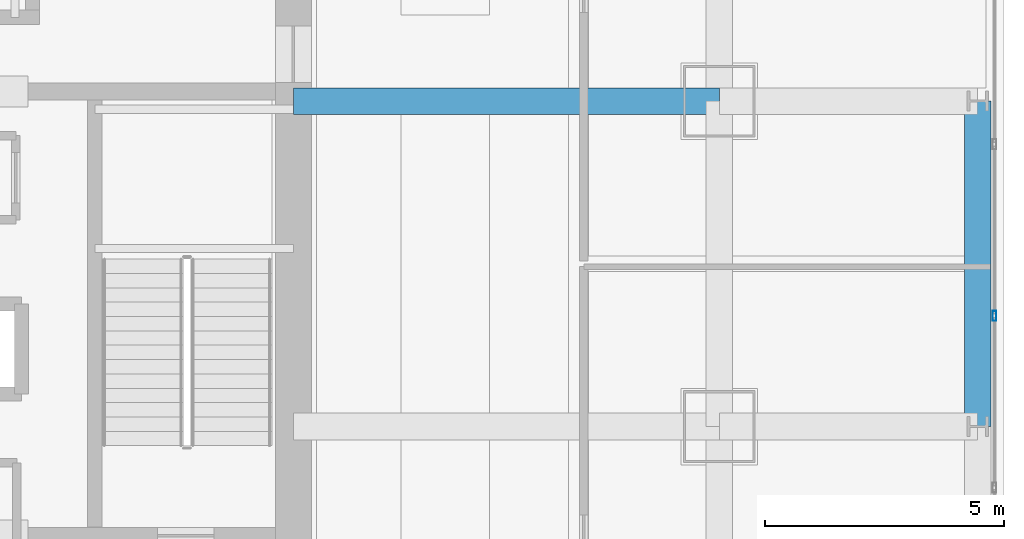
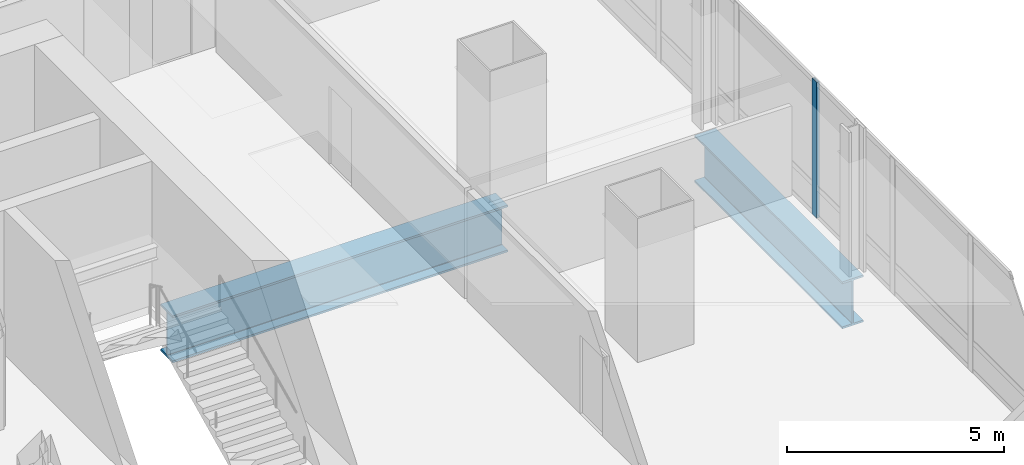
# One storey, part 14 of 37: 2 beams, 1 member, 1 element without a shape of its own.
"""IFC4 building model written with IfcOpenShell, lengths in metres."""

from ifc_helpers import new_model, si_unit, direction, frame, origin, origin_2d, place, context, subcontext, project, spatial, hollow_rectangle, i_section, extrude, material, material_profile, profile_set, type_object, element, aggregate, save


model = new_model("IFC4")

# Units and contexts
model_context = context("Model", 3, precision=1e-05, world=origin(), true_north=direction((0.0, 1.0)))
body_context = subcontext(model_context, "Body", "Model", "MODEL_VIEW")
ifc_project = project(units=[si_unit("LENGTHUNIT", "METRE"), si_unit("AREAUNIT", "SQUARE_METRE"), si_unit("VOLUMEUNIT", "CUBIC_METRE"), si_unit("PLANEANGLEUNIT", "RADIAN"), si_unit("MASSUNIT", "GRAM", prefix="KILO")], contexts=[model_context])

# Site, building, storey
site_placement = place(None, origin())
site = spatial("IfcSite", under=ifc_project, at=site_placement, CompositionType="ELEMENT")
building_placement = place(site_placement, origin())
building = spatial("IfcBuilding", under=site, at=building_placement, Name="Punatoya Terracotta Tower", CompositionType="ELEMENT")
storey_placement = place(building_placement, frame((0.0, 0.0, 109.199951171875)))
storey = spatial("IfcBuildingStorey", under=building, at=storey_placement, Name="L25", CompositionType="ELEMENT", Elevation=109.199951171875)

# Beams
ifc_material_1 = material(Name="Steel S460", Category="steel")
ifc_material_profile_1 = material_profile(ifc_material_1, i_section(OverallWidth=0.56005859375, OverallDepth=1.320068359375, WebThickness=0.035888671875, FlangeThickness=0.054931640625, FilletRadius=0.01806640625, at=origin_2d()))
ifc_profile_set_1 = profile_set([ifc_material_profile_1], Name="Steel S460")
beam_type = type_object("IfcBeamType", Name="BM-TG-BLK", PredefinedType="BEAM", material=ifc_profile_set_1)
beam_1_placement = place(storey_placement, frame((10.199951171875, 3.39990234375, -0.89990234375), z_axis=(1.0, 0.0, 0.0), x_axis=(0.0, 1.0, 0.0)))
element("IfcBeam", 1, at=beam_1_placement, inside=storey, type_object=beam_type, Name="BM-L25-PR-EE", PredefinedType="BEAM", context=body_context, shape_type="SweptSolid", body=[
    extrude(i_section(OverallWidth=0.56005859375, OverallDepth=1.320068359375, WebThickness=0.035888671875, FlangeThickness=0.054931640625, FilletRadius=0.01806640625, at=origin_2d()), origin(), (0.0, 0.0, 1.0), 8.900146484375),
])
beam_2_placement = place(storey_placement, frame((24.5, -3.39990234375, -0.89990234375), z_axis=(0.0, 1.0, 0.0), x_axis=(-1.0, 0.0, 0.0)))
element("IfcBeam", 2, at=beam_2_placement, inside=storey, type_object=beam_type, Name="BM-L25-PER-E2", PredefinedType="BEAM", context=body_context, shape_type="SweptSolid", body=[
    extrude(i_section(OverallWidth=0.56005859375, OverallDepth=1.320068359375, WebThickness=0.035888671875, FlangeThickness=0.054931640625, FilletRadius=0.01806640625, at=origin_2d()), origin(), (0.0, 0.0, 1.0), 6.7998046875),
])

# Curtain wall, member
ifc_material_2 = material(Name="Aluminium 6063-T6 + Double Low-E Glass", Category="aluminium")
curtain_wall_type = type_object("IfcCurtainWallType", Name="CW-M1", PredefinedType="NOTDEFINED", material=ifc_material_2)
curtain_wall_placement = place(storey_placement, origin())
curtain_wall = element("IfcCurtainWall", 3, at=curtain_wall_placement, inside=storey, type_object=curtain_wall_type, Name="L25 Curtain Wall CW-L25-E05-1", PredefinedType="NOTDEFINED")
ifc_material_3 = material(Name="Aluminium 6063-T6", Category="aluminium")
ifc_material_profile_2 = material_profile(ifc_material_3, hollow_rectangle(XDim=0.074951171875, YDim=0.2099609375, WallThickness=0.00439453125, at=origin_2d()))
ifc_profile_set_2 = profile_set([ifc_material_profile_2], Name="Aluminium 6063-T6")
member_type = type_object("IfcMemberType", Name="CW-MUL-M1", PredefinedType="MULLION", material=ifc_profile_set_2)
member_placement = place(storey_placement, frame((24.85009765625, -1.087158203125, 0.0), z_axis=(0.0, 0.0, 1.0), x_axis=(1.0, 0.0, 0.0)))
member = element("IfcMember", 4, at=member_placement, type_object=member_type, Name="CW-L25-E05-1 Mullion 04", PredefinedType="MULLION", context=body_context, shape_type="SweptSolid", body=[
    extrude(hollow_rectangle(XDim=0.074951171875, YDim=0.2099609375, WallThickness=0.00439453125, at=origin_2d()), origin(), (0.0, 0.0, 1.0), 3.81005859375),
])
aggregate(curtain_wall, [member])

save(model, "model.ifc")
